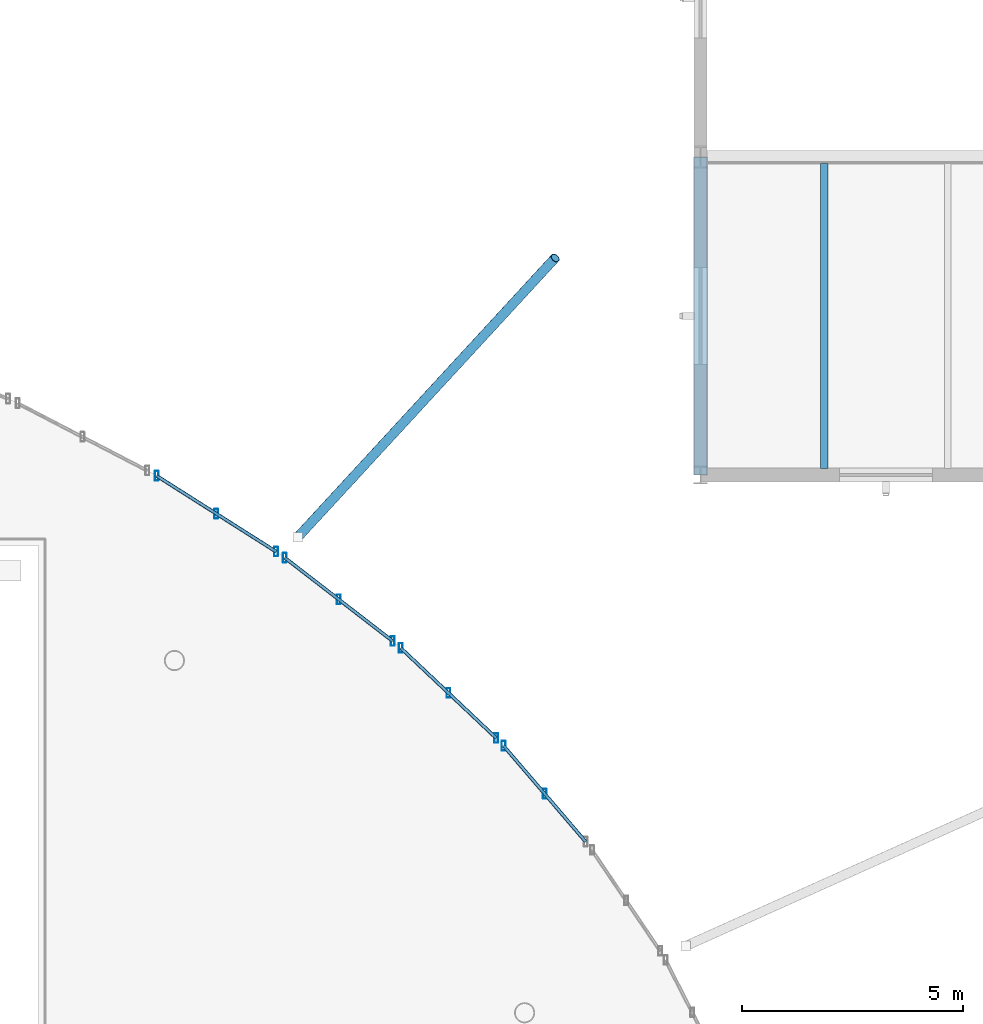
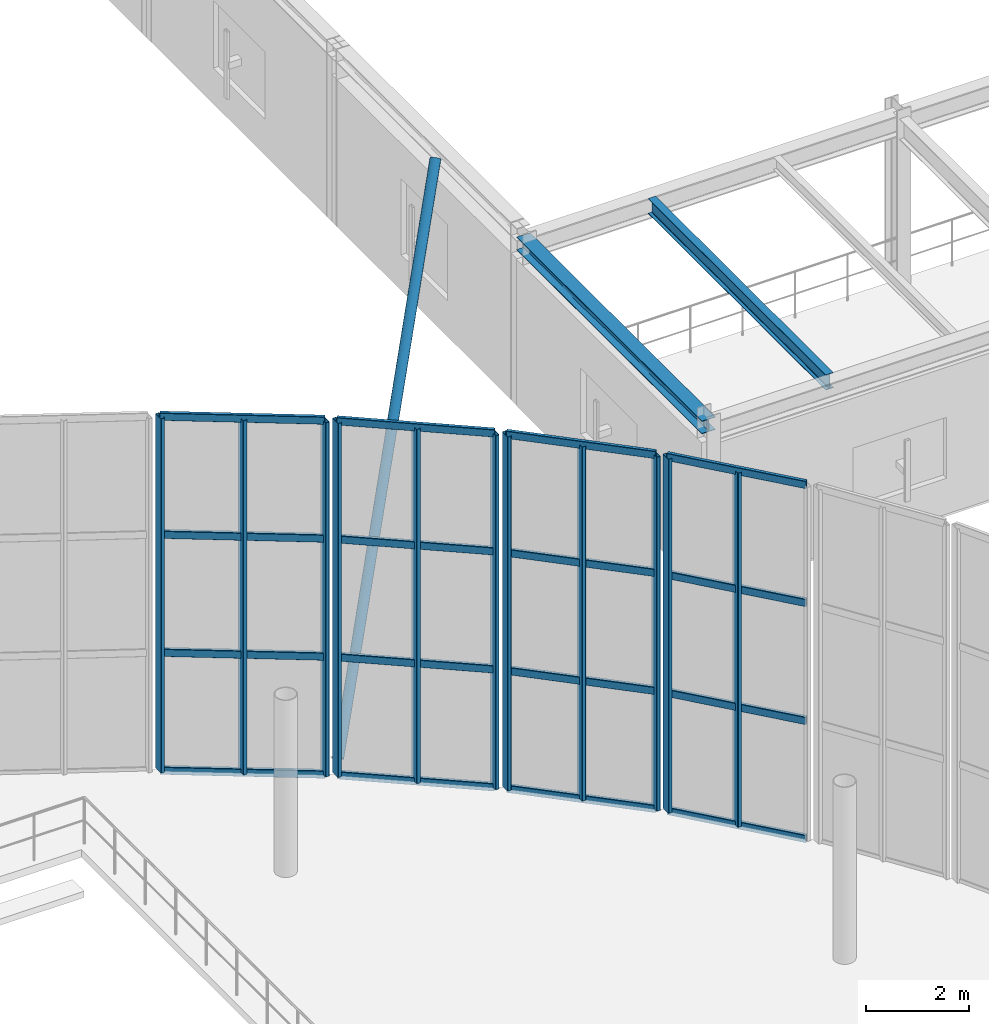
# One storey, part 40 of 109: 28 members, 2 beams, 4 elements without a shape of their own.
"""IFC4 building model written with IfcOpenShell, lengths in metres."""

from ifc_helpers import new_model, si_unit, derived_unit, direction, frame, origin, origin_2d, place, context, subcontext, project, spatial, hollow_rectangle, hollow_circle, i_section, extrude, material, material_profile, profile_set, type_object, element, aggregate, save


model = new_model("IFC4")

# Units and contexts
model_context = context("Model", 3, precision=1e-05, world=origin(), true_north=direction((0.0, 1.0)))
body_context = subcontext(model_context, "Body", "Model", "MODEL_VIEW")
ifc_project = project(units=[si_unit("LENGTHUNIT", "METRE"), si_unit("AREAUNIT", "SQUARE_METRE"), si_unit("VOLUMEUNIT", "CUBIC_METRE"), si_unit("PLANEANGLEUNIT", "RADIAN"), si_unit("MASSUNIT", "GRAM", prefix="KILO"), derived_unit("THERMALTRANSMITTANCEUNIT", [(si_unit("MASSUNIT", "GRAM", prefix="KILO"), 1), (si_unit("TIMEUNIT", "SECOND"), -3), (si_unit("THERMODYNAMICTEMPERATUREUNIT", "KELVIN"), -1)])], contexts=[model_context])

# Site, building, storey
site_placement = place(None, origin())
site = spatial("IfcSite", under=ifc_project, at=site_placement, CompositionType="ELEMENT")
building_placement = place(site_placement, origin())
building = spatial("IfcBuilding", under=site, at=building_placement, Name="Kharveza Railside Sports Centre", CompositionType="ELEMENT")
storey_placement = place(building_placement, frame((0.0, 0.0, 4.5)))
storey = spatial("IfcBuildingStorey", under=building, at=storey_placement, Name="L01", CompositionType="ELEMENT", Elevation=4.5)

# Beams
ifc_material_1 = material(Name="Steel S355J2", Category="steel")
ifc_material_profile_1 = material_profile(ifc_material_1, i_section(OverallWidth=0.169921875, OverallDepth=0.360107421875, WebThickness=0.008056640625, FlangeThickness=0.0126953125, FilletRadius=0.01806640625, at=origin_2d()), Name="IPE 360")
ifc_profile_set_1 = profile_set([ifc_material_profile_1], Name="Steel S355J2")
beam_type_1 = type_object("IfcBeamType", Name="BM-S02", PredefinedType="BEAM", material=ifc_profile_set_1)
beam_1_placement = place(storey_placement, frame((95.199951171875, 72.14697265625, 3.820068359375), z_axis=(0.0, 1.0, 0.0), x_axis=(-1.0, 0.0, 0.0)))
element("IfcBeam", 1, at=beam_1_placement, inside=storey, type_object=beam_type_1, Name="BM-SEC-L01-B10-X952-Y720", PredefinedType="BEAM", context=body_context, shape_type="SweptSolid", body=[
    extrude(i_section(OverallWidth=0.169921875, OverallDepth=0.360107421875, WebThickness=0.008056640625, FlangeThickness=0.0126953125, FilletRadius=0.01806640625, at=origin_2d()), origin(), (0.0, 0.0, 1.0), 6.906005859375),
])
ifc_material_profile_2 = material_profile(ifc_material_1, i_section(OverallWidth=0.300048828125, OverallDepth=0.31005859375, WebThickness=0.009033203125, FlangeThickness=0.015380859375, FilletRadius=0.027099609375, at=origin_2d()), Name="HEA 320")
ifc_profile_set_2 = profile_set([ifc_material_profile_2], Name="Steel S355J2")
beam_type_2 = type_object("IfcBeamType", Name="BM-S06", PredefinedType="BEAM", material=ifc_profile_set_2)
beam_2_placement = place(storey_placement, frame((92.39990234375, 72.0, 3.844970703125), z_axis=(0.0, 1.0, 0.0), x_axis=(-1.0, 0.0, 0.0)))
element("IfcBeam", 2, at=beam_2_placement, inside=storey, type_object=beam_type_2, Name="BM-NS-L01-B14-X924-Y720", PredefinedType="BEAM", context=body_context, shape_type="SweptSolid", body=[
    extrude(i_section(OverallWidth=0.300048828125, OverallDepth=0.31005859375, WebThickness=0.009033203125, FlangeThickness=0.015380859375, FilletRadius=0.027099609375, at=origin_2d()), origin(), (0.0, 0.0, 1.0), 7.199951171875),
])

# Curtain wall, members
ifc_material_2 = material(Name="Low-E solar-control laminated glass", Category="glass")
curtain_wall_type = type_object("IfcCurtainWallType", Name="CW-DR01", PredefinedType="NOTDEFINED", material=ifc_material_2)
curtain_wall_1_placement = place(storey_placement, origin())
curtain_wall_1 = element("IfcCurtainWall", 3, at=curtain_wall_1_placement, inside=storey, type_object=curtain_wall_type, Name="CW-DRUM-06", PredefinedType="NOTDEFINED")
ifc_material_3 = material(Name="Anodised aluminium 6063-T6", Category="aluminium")
ifc_material_profile_3 = material_profile(ifc_material_3, hollow_rectangle(XDim=0.090087890625, YDim=0.219970703125, WallThickness=0.008056640625, InnerFilletRadius=0.008056640625, OuterFilletRadius=0.01611328125, at=origin_2d()), Name="RHS 90x220x8.0")
ifc_profile_set_3 = profile_set([ifc_material_profile_3], Name="Anodised aluminium 6063-T6")
member_type_1 = type_object("IfcMemberType", Name="CW-ML01", PredefinedType="MULLION", material=ifc_profile_set_3)
member_1_placement = place(storey_placement, frame((88.867919921875, 64.777587890625, 0.0), z_axis=(0.0, 0.0, 1.0), x_axis=(1.0, 0.0, 0.0)))
member_1 = element("IfcMember", 4, at=member_1_placement, type_object=member_type_1, Name="CW-DRUM-06-ML2", PredefinedType="MULLION", context=body_context, shape_type="SweptSolid", body=[
    extrude(hollow_rectangle(XDim=0.090087890625, YDim=0.219970703125, WallThickness=0.008056640625, InnerFilletRadius=0.008056640625, OuterFilletRadius=0.01611328125, at=origin_2d()), origin(), (0.0, 0.0, 1.0), 8.39990234375),
])
member_2_placement = place(storey_placement, frame((87.936767578125, 65.86474609375, 0.0), z_axis=(0.0, 0.0, 1.0), x_axis=(1.0, 0.0, 0.0)))
member_2 = element("IfcMember", 5, at=member_2_placement, type_object=member_type_1, Name="CW-DRUM-06-ML3", PredefinedType="MULLION", context=body_context, shape_type="SweptSolid", body=[
    extrude(hollow_rectangle(XDim=0.090087890625, YDim=0.219970703125, WallThickness=0.008056640625, InnerFilletRadius=0.008056640625, OuterFilletRadius=0.01611328125, at=origin_2d()), origin(), (0.0, 0.0, 1.0), 8.39990234375),
])

curtain_wall_2_placement = place(storey_placement, origin())
curtain_wall_2 = element("IfcCurtainWall", 6, at=curtain_wall_2_placement, inside=storey, type_object=curtain_wall_type, Name="CW-DRUM-07", PredefinedType="NOTDEFINED")
member_3_placement = place(storey_placement, frame((87.771484375, 66.038330078125, 0.0), z_axis=(0.0, 0.0, 1.0), x_axis=(1.0, 0.0, 0.0)))
member_3 = element("IfcMember", 7, at=member_3_placement, type_object=member_type_1, Name="CW-DRUM-07-ML1", PredefinedType="MULLION", context=body_context, shape_type="SweptSolid", body=[
    extrude(hollow_rectangle(XDim=0.090087890625, YDim=0.219970703125, WallThickness=0.008056640625, InnerFilletRadius=0.008056640625, OuterFilletRadius=0.01611328125, at=origin_2d()), origin(), (0.0, 0.0, 1.0), 8.39990234375),
])
member_4_placement = place(storey_placement, frame((86.689697265625, 67.0595703125, 0.0), z_axis=(0.0, 0.0, 1.0), x_axis=(1.0, 0.0, 0.0)))
member_4 = element("IfcMember", 8, at=member_4_placement, type_object=member_type_1, Name="CW-DRUM-07-ML2", PredefinedType="MULLION", context=body_context, shape_type="SweptSolid", body=[
    extrude(hollow_rectangle(XDim=0.090087890625, YDim=0.219970703125, WallThickness=0.008056640625, InnerFilletRadius=0.008056640625, OuterFilletRadius=0.01611328125, at=origin_2d()), origin(), (0.0, 0.0, 1.0), 8.39990234375),
])
member_5_placement = place(storey_placement, frame((85.607666015625, 68.08056640625, 0.0), z_axis=(0.0, 0.0, 1.0), x_axis=(1.0, 0.0, 0.0)))
member_5 = element("IfcMember", 9, at=member_5_placement, type_object=member_type_1, Name="CW-DRUM-07-ML3", PredefinedType="MULLION", context=body_context, shape_type="SweptSolid", body=[
    extrude(hollow_rectangle(XDim=0.090087890625, YDim=0.219970703125, WallThickness=0.008056640625, InnerFilletRadius=0.008056640625, OuterFilletRadius=0.01611328125, at=origin_2d()), origin(), (0.0, 0.0, 1.0), 8.39990234375),
])

curtain_wall_3_placement = place(storey_placement, origin())
curtain_wall_3 = element("IfcCurtainWall", 10, at=curtain_wall_3_placement, inside=storey, type_object=curtain_wall_type, Name="CW-DRUM-08", PredefinedType="NOTDEFINED")
member_6_placement = place(storey_placement, frame((85.42529296875, 68.236328125, 0.0), z_axis=(0.0, 0.0, 1.0), x_axis=(1.0, 0.0, 0.0)))
member_6 = element("IfcMember", 11, at=member_6_placement, type_object=member_type_1, Name="CW-DRUM-08-ML1", PredefinedType="MULLION", context=body_context, shape_type="SweptSolid", body=[
    extrude(hollow_rectangle(XDim=0.090087890625, YDim=0.219970703125, WallThickness=0.008056640625, InnerFilletRadius=0.008056640625, OuterFilletRadius=0.01611328125, at=origin_2d()), origin(), (0.0, 0.0, 1.0), 8.39990234375),
])
member_7_placement = place(storey_placement, frame((84.202392578125, 69.180908203125, 0.0), z_axis=(0.0, 0.0, 1.0), x_axis=(1.0, 0.0, 0.0)))
member_7 = element("IfcMember", 12, at=member_7_placement, type_object=member_type_1, Name="CW-DRUM-08-ML2", PredefinedType="MULLION", context=body_context, shape_type="SweptSolid", body=[
    extrude(hollow_rectangle(XDim=0.090087890625, YDim=0.219970703125, WallThickness=0.008056640625, InnerFilletRadius=0.008056640625, OuterFilletRadius=0.01611328125, at=origin_2d()), origin(), (0.0, 0.0, 1.0), 8.39990234375),
])
member_8_placement = place(storey_placement, frame((82.979248046875, 70.12548828125, 0.0), z_axis=(0.0, 0.0, 1.0), x_axis=(1.0, 0.0, 0.0)))
member_8 = element("IfcMember", 13, at=member_8_placement, type_object=member_type_1, Name="CW-DRUM-08-ML3", PredefinedType="MULLION", context=body_context, shape_type="SweptSolid", body=[
    extrude(hollow_rectangle(XDim=0.090087890625, YDim=0.219970703125, WallThickness=0.008056640625, InnerFilletRadius=0.008056640625, OuterFilletRadius=0.01611328125, at=origin_2d()), origin(), (0.0, 0.0, 1.0), 8.39990234375),
])

curtain_wall_4_placement = place(storey_placement, origin())
curtain_wall_4 = element("IfcCurtainWall", 14, at=curtain_wall_4_placement, inside=storey, type_object=curtain_wall_type, Name="CW-DRUM-09", PredefinedType="NOTDEFINED")
member_9_placement = place(storey_placement, frame((82.782958984375, 70.26318359375, 0.0), z_axis=(0.0, 0.0, 1.0), x_axis=(1.0, 0.0, 0.0)))
member_9 = element("IfcMember", 15, at=member_9_placement, type_object=member_type_1, Name="CW-DRUM-09-ML1", PredefinedType="MULLION", context=body_context, shape_type="SweptSolid", body=[
    extrude(hollow_rectangle(XDim=0.090087890625, YDim=0.219970703125, WallThickness=0.008056640625, InnerFilletRadius=0.008056640625, OuterFilletRadius=0.01611328125, at=origin_2d()), origin(), (0.0, 0.0, 1.0), 8.39990234375),
])
member_10_placement = place(storey_placement, frame((81.429931640625, 71.12158203125, 0.0), z_axis=(0.0, 0.0, 1.0), x_axis=(1.0, 0.0, 0.0)))
member_10 = element("IfcMember", 16, at=member_10_placement, type_object=member_type_1, Name="CW-DRUM-09-ML2", PredefinedType="MULLION", context=body_context, shape_type="SweptSolid", body=[
    extrude(hollow_rectangle(XDim=0.090087890625, YDim=0.219970703125, WallThickness=0.008056640625, InnerFilletRadius=0.008056640625, OuterFilletRadius=0.01611328125, at=origin_2d()), origin(), (0.0, 0.0, 1.0), 8.39990234375),
])
member_11_placement = place(storey_placement, frame((80.0771484375, 71.97998046875, 0.0), z_axis=(0.0, 0.0, 1.0), x_axis=(1.0, 0.0, 0.0)))
member_11 = element("IfcMember", 17, at=member_11_placement, type_object=member_type_1, Name="CW-DRUM-09-ML3", PredefinedType="MULLION", context=body_context, shape_type="SweptSolid", body=[
    extrude(hollow_rectangle(XDim=0.090087890625, YDim=0.219970703125, WallThickness=0.008056640625, InnerFilletRadius=0.008056640625, OuterFilletRadius=0.01611328125, at=origin_2d()), origin(), (0.0, 0.0, 1.0), 8.39990234375),
])

# Member
ifc_material_profile_4 = material_profile(ifc_material_3, hollow_rectangle(XDim=0.080078125, YDim=0.179931640625, WallThickness=0.00634765625, InnerFilletRadius=0.00634765625, OuterFilletRadius=0.0126953125, at=origin_2d()), Name="RHS 80x180x6.3")
ifc_profile_set_4 = profile_set([ifc_material_profile_4], Name="Anodised aluminium 6063-T6")
member_type_2 = type_object("IfcMemberType", Name="CW-TR01", PredefinedType="USERDEFINED", material=ifc_profile_set_4)
member_12_placement = place(storey_placement, frame((89.798828125, 63.690185546875, 0.0), z_axis=(-0.650419079705, 0.759575553027, 0.0), x_axis=(-0.759575553027, -0.650419079705, 0.0)))
member_12 = element("IfcMember", 18, at=member_12_placement, type_object=member_type_2, Name="CW-DRUM-06-TR1", ObjectType="TRANSOM", PredefinedType="USERDEFINED", context=body_context, shape_type="SweptSolid", body=[
    extrude(hollow_rectangle(XDim=0.080078125, YDim=0.179931640625, WallThickness=0.00634765625, InnerFilletRadius=0.00634765625, OuterFilletRadius=0.0126953125, at=origin_2d()), origin(), (0.0, 0.0, 1.0), 2.86279296875),
])

member_13_placement = place(storey_placement, frame((89.798828125, 63.690185546875, 2.800048828125), z_axis=(-0.650419079705, 0.759575553027, 0.0), x_axis=(-0.759575553027, -0.650419079705, 0.0)))
member_13 = element("IfcMember", 19, at=member_13_placement, type_object=member_type_2, Name="CW-DRUM-06-TR2", ObjectType="TRANSOM", PredefinedType="USERDEFINED", context=body_context, shape_type="SweptSolid", body=[
    extrude(hollow_rectangle(XDim=0.080078125, YDim=0.179931640625, WallThickness=0.00634765625, InnerFilletRadius=0.00634765625, OuterFilletRadius=0.0126953125, at=origin_2d()), origin(), (0.0, 0.0, 1.0), 2.86279296875),
])

member_14_placement = place(storey_placement, frame((89.798828125, 63.690185546875, 5.60009765625), z_axis=(-0.650419079705, 0.759575553027, 0.0), x_axis=(-0.759575553027, -0.650419079705, 0.0)))
member_14 = element("IfcMember", 20, at=member_14_placement, type_object=member_type_2, Name="CW-DRUM-06-TR3", ObjectType="TRANSOM", PredefinedType="USERDEFINED", context=body_context, shape_type="SweptSolid", body=[
    extrude(hollow_rectangle(XDim=0.080078125, YDim=0.179931640625, WallThickness=0.00634765625, InnerFilletRadius=0.00634765625, OuterFilletRadius=0.0126953125, at=origin_2d()), origin(), (0.0, 0.0, 1.0), 2.86279296875),
])

member_15_placement = place(storey_placement, frame((89.798828125, 63.690185546875, 8.39990234375), z_axis=(-0.650419079705, 0.759575553027, 0.0), x_axis=(-0.759575553027, -0.650419079705, 0.0)))
member_15 = element("IfcMember", 21, at=member_15_placement, type_object=member_type_2, Name="CW-DRUM-06-TR4", ObjectType="TRANSOM", PredefinedType="USERDEFINED", context=body_context, shape_type="SweptSolid", body=[
    extrude(hollow_rectangle(XDim=0.080078125, YDim=0.179931640625, WallThickness=0.00634765625, InnerFilletRadius=0.00634765625, OuterFilletRadius=0.0126953125, at=origin_2d()), origin(), (0.0, 0.0, 1.0), 2.86279296875),
])

aggregate(curtain_wall_1, [member_1, member_2, member_12, member_13, member_14, member_15])

member_16_placement = place(storey_placement, frame((87.771484375, 66.038330078125, 0.0), z_axis=(-0.727242942811, 0.686380144039, 0.0), x_axis=(-0.686380144039, -0.727242942811, 0.0)))
member_16 = element("IfcMember", 22, at=member_16_placement, type_object=member_type_2, Name="CW-DRUM-07-TR1", ObjectType="TRANSOM", PredefinedType="USERDEFINED", context=body_context, shape_type="SweptSolid", body=[
    extrude(hollow_rectangle(XDim=0.080078125, YDim=0.179931640625, WallThickness=0.00634765625, InnerFilletRadius=0.00634765625, OuterFilletRadius=0.0126953125, at=origin_2d()), origin(), (0.0, 0.0, 1.0), 2.975341796875),
])

member_17_placement = place(storey_placement, frame((87.771484375, 66.038330078125, 2.800048828125), z_axis=(-0.727242942811, 0.686380144039, 0.0), x_axis=(-0.686380144039, -0.727242942811, 0.0)))
member_17 = element("IfcMember", 23, at=member_17_placement, type_object=member_type_2, Name="CW-DRUM-07-TR2", ObjectType="TRANSOM", PredefinedType="USERDEFINED", context=body_context, shape_type="SweptSolid", body=[
    extrude(hollow_rectangle(XDim=0.080078125, YDim=0.179931640625, WallThickness=0.00634765625, InnerFilletRadius=0.00634765625, OuterFilletRadius=0.0126953125, at=origin_2d()), origin(), (0.0, 0.0, 1.0), 2.975341796875),
])

member_18_placement = place(storey_placement, frame((87.771484375, 66.038330078125, 5.60009765625), z_axis=(-0.727242942811, 0.686380144039, 0.0), x_axis=(-0.686380144039, -0.727242942811, 0.0)))
member_18 = element("IfcMember", 24, at=member_18_placement, type_object=member_type_2, Name="CW-DRUM-07-TR3", ObjectType="TRANSOM", PredefinedType="USERDEFINED", context=body_context, shape_type="SweptSolid", body=[
    extrude(hollow_rectangle(XDim=0.080078125, YDim=0.179931640625, WallThickness=0.00634765625, InnerFilletRadius=0.00634765625, OuterFilletRadius=0.0126953125, at=origin_2d()), origin(), (0.0, 0.0, 1.0), 2.975341796875),
])

member_19_placement = place(storey_placement, frame((87.771484375, 66.038330078125, 8.39990234375), z_axis=(-0.727242942811, 0.686380144039, 0.0), x_axis=(-0.686380144039, -0.727242942811, 0.0)))
member_19 = element("IfcMember", 25, at=member_19_placement, type_object=member_type_2, Name="CW-DRUM-07-TR4", ObjectType="TRANSOM", PredefinedType="USERDEFINED", context=body_context, shape_type="SweptSolid", body=[
    extrude(hollow_rectangle(XDim=0.080078125, YDim=0.179931640625, WallThickness=0.00634765625, InnerFilletRadius=0.00634765625, OuterFilletRadius=0.0126953125, at=origin_2d()), origin(), (0.0, 0.0, 1.0), 2.975341796875),
])

aggregate(curtain_wall_2, [member_3, member_4, member_5, member_16, member_17, member_18, member_19])

member_20_placement = place(storey_placement, frame((85.42529296875, 68.236328125, 0.0), z_axis=(-0.79143611748, 0.611251889117, 0.0), x_axis=(-0.611251889117, -0.79143611748, 0.0)))
member_20 = element("IfcMember", 26, at=member_20_placement, type_object=member_type_2, Name="CW-DRUM-08-TR1", ObjectType="TRANSOM", PredefinedType="USERDEFINED", context=body_context, shape_type="SweptSolid", body=[
    extrude(hollow_rectangle(XDim=0.080078125, YDim=0.179931640625, WallThickness=0.00634765625, InnerFilletRadius=0.00634765625, OuterFilletRadius=0.0126953125, at=origin_2d()), origin(), (0.0, 0.0, 1.0), 3.090576171875),
])

member_21_placement = place(storey_placement, frame((85.42529296875, 68.236328125, 2.800048828125), z_axis=(-0.79143611748, 0.611251889117, 0.0), x_axis=(-0.611251889117, -0.79143611748, 0.0)))
member_21 = element("IfcMember", 27, at=member_21_placement, type_object=member_type_2, Name="CW-DRUM-08-TR2", ObjectType="TRANSOM", PredefinedType="USERDEFINED", context=body_context, shape_type="SweptSolid", body=[
    extrude(hollow_rectangle(XDim=0.080078125, YDim=0.179931640625, WallThickness=0.00634765625, InnerFilletRadius=0.00634765625, OuterFilletRadius=0.0126953125, at=origin_2d()), origin(), (0.0, 0.0, 1.0), 3.090576171875),
])

member_22_placement = place(storey_placement, frame((85.42529296875, 68.236328125, 5.60009765625), z_axis=(-0.79143611748, 0.611251889117, 0.0), x_axis=(-0.611251889117, -0.79143611748, 0.0)))
member_22 = element("IfcMember", 28, at=member_22_placement, type_object=member_type_2, Name="CW-DRUM-08-TR3", ObjectType="TRANSOM", PredefinedType="USERDEFINED", context=body_context, shape_type="SweptSolid", body=[
    extrude(hollow_rectangle(XDim=0.080078125, YDim=0.179931640625, WallThickness=0.00634765625, InnerFilletRadius=0.00634765625, OuterFilletRadius=0.0126953125, at=origin_2d()), origin(), (0.0, 0.0, 1.0), 3.090576171875),
])

member_23_placement = place(storey_placement, frame((85.42529296875, 68.236328125, 8.39990234375), z_axis=(-0.79143611748, 0.611251889117, 0.0), x_axis=(-0.611251889117, -0.79143611748, 0.0)))
member_23 = element("IfcMember", 29, at=member_23_placement, type_object=member_type_2, Name="CW-DRUM-08-TR4", ObjectType="TRANSOM", PredefinedType="USERDEFINED", context=body_context, shape_type="SweptSolid", body=[
    extrude(hollow_rectangle(XDim=0.080078125, YDim=0.179931640625, WallThickness=0.00634765625, InnerFilletRadius=0.00634765625, OuterFilletRadius=0.0126953125, at=origin_2d()), origin(), (0.0, 0.0, 1.0), 3.090576171875),
])

aggregate(curtain_wall_3, [member_6, member_7, member_8, member_20, member_21, member_22, member_23])

member_24_placement = place(storey_placement, frame((82.782958984375, 70.26318359375, 0.0), z_axis=(-0.84437912984, 0.53574610133, 0.0), x_axis=(-0.53574610133, -0.84437912984, 0.0)))
member_24 = element("IfcMember", 30, at=member_24_placement, type_object=member_type_2, Name="CW-DRUM-09-TR1", ObjectType="TRANSOM", PredefinedType="USERDEFINED", context=body_context, shape_type="SweptSolid", body=[
    extrude(hollow_rectangle(XDim=0.080078125, YDim=0.179931640625, WallThickness=0.00634765625, InnerFilletRadius=0.00634765625, OuterFilletRadius=0.0126953125, at=origin_2d()), origin(), (0.0, 0.0, 1.0), 3.20458984375),
])

member_25_placement = place(storey_placement, frame((82.782958984375, 70.26318359375, 2.800048828125), z_axis=(-0.84437912984, 0.53574610133, 0.0), x_axis=(-0.53574610133, -0.84437912984, 0.0)))
member_25 = element("IfcMember", 31, at=member_25_placement, type_object=member_type_2, Name="CW-DRUM-09-TR2", ObjectType="TRANSOM", PredefinedType="USERDEFINED", context=body_context, shape_type="SweptSolid", body=[
    extrude(hollow_rectangle(XDim=0.080078125, YDim=0.179931640625, WallThickness=0.00634765625, InnerFilletRadius=0.00634765625, OuterFilletRadius=0.0126953125, at=origin_2d()), origin(), (0.0, 0.0, 1.0), 3.20458984375),
])

member_26_placement = place(storey_placement, frame((82.782958984375, 70.26318359375, 5.60009765625), z_axis=(-0.84437912984, 0.53574610133, 0.0), x_axis=(-0.53574610133, -0.84437912984, 0.0)))
member_26 = element("IfcMember", 32, at=member_26_placement, type_object=member_type_2, Name="CW-DRUM-09-TR3", ObjectType="TRANSOM", PredefinedType="USERDEFINED", context=body_context, shape_type="SweptSolid", body=[
    extrude(hollow_rectangle(XDim=0.080078125, YDim=0.179931640625, WallThickness=0.00634765625, InnerFilletRadius=0.00634765625, OuterFilletRadius=0.0126953125, at=origin_2d()), origin(), (0.0, 0.0, 1.0), 3.20458984375),
])

member_27_placement = place(storey_placement, frame((82.782958984375, 70.26318359375, 8.39990234375), z_axis=(-0.84437912984, 0.53574610133, 0.0), x_axis=(-0.53574610133, -0.84437912984, 0.0)))
member_27 = element("IfcMember", 33, at=member_27_placement, type_object=member_type_2, Name="CW-DRUM-09-TR4", ObjectType="TRANSOM", PredefinedType="USERDEFINED", context=body_context, shape_type="SweptSolid", body=[
    extrude(hollow_rectangle(XDim=0.080078125, YDim=0.179931640625, WallThickness=0.00634765625, InnerFilletRadius=0.00634765625, OuterFilletRadius=0.0126953125, at=origin_2d()), origin(), (0.0, 0.0, 1.0), 3.20458984375),
])

aggregate(curtain_wall_4, [member_9, member_10, member_11, member_24, member_25, member_26, member_27])

ifc_material_profile_5 = material_profile(ifc_material_1, hollow_circle(Radius=0.109619140625, WallThickness=0.012451171875, at=origin_2d()), Name="CHS 219.1x12.5")
ifc_profile_set_5 = profile_set([ifc_material_profile_5], Name="Steel S355J2")
member_type_3 = type_object("IfcMemberType", Name="MB-ST01", PredefinedType="STRUT", material=ifc_profile_set_5)
member_28_placement = place(storey_placement, frame((83.273193359375, 70.587890625, 0.0), z_axis=(0.486453896254, 0.527741604532, 0.696312721172), x_axis=(-0.735283928712, 0.67775920811, 0.0)))
element("IfcMember", 34, at=member_28_placement, inside=storey, type_object=member_type_3, Name="MB-RAKER-LID-03", PredefinedType="STRUT", context=body_context, shape_type="SweptSolid", body=[
    extrude(hollow_circle(Radius=0.109619140625, WallThickness=0.012451171875, at=origin_2d()), origin(), (0.0, 0.0, 1.0), 11.991943359375),
])

save(model, "model.ifc")
